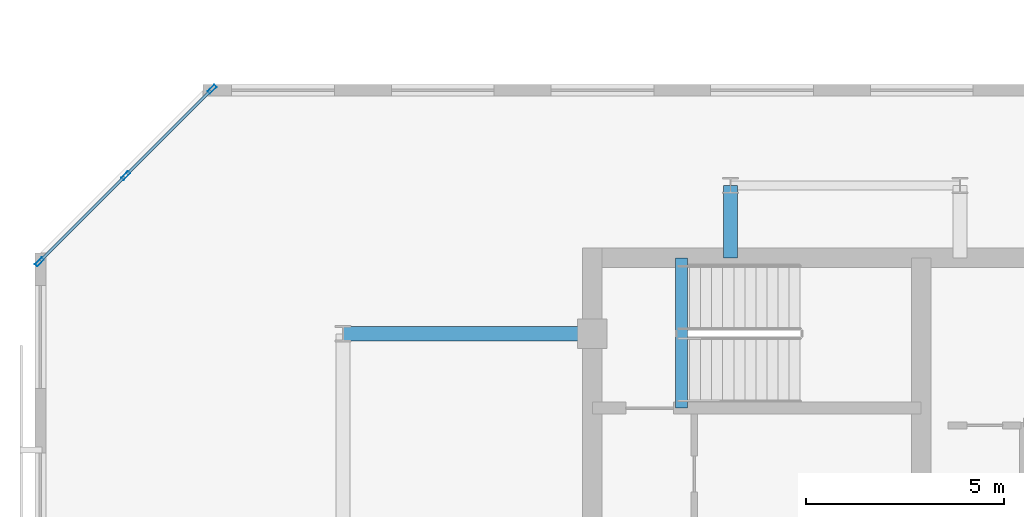
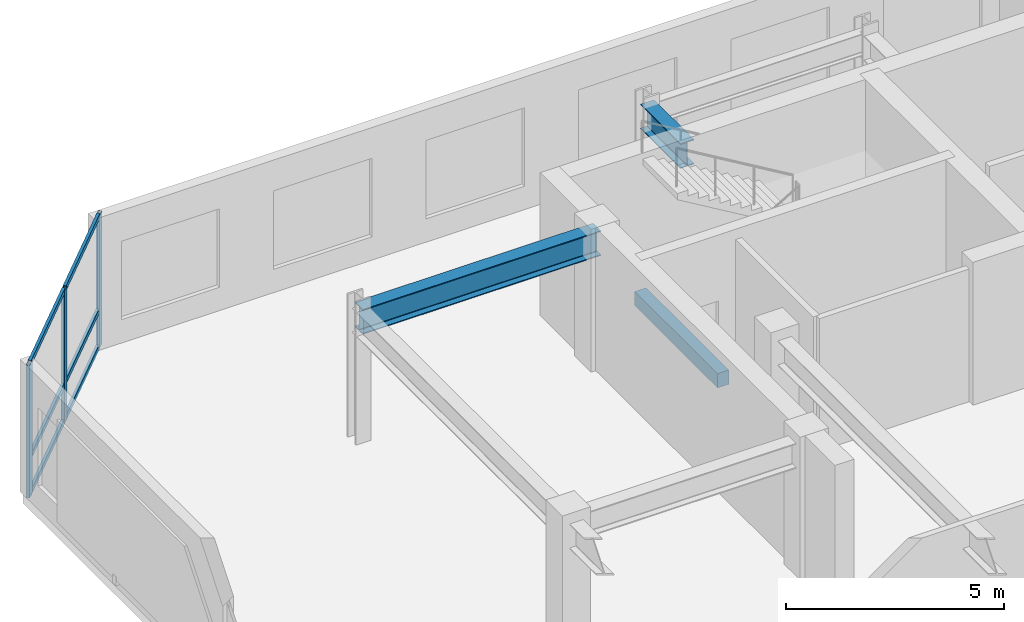
# One storey, part 2 of 9: 9 members, 3 beams, 1 element without a shape of its own.
"""IFC4 building model written with IfcOpenShell, lengths in metres."""

import ifcopenshell
import ifcopenshell.guid

model = None  # the IFC model being written
_history = None  # IfcOwnerHistory: only IFC2X3 demands one
_inside = {}  # id of a spatial element -> (the spatial element, [elements in it])
_under = {}  # id of a project, library or spatial element -> (it, [spatial elements below it])
_declared = {}  # id of a project -> (the project, [libraries it declares])
_typed = {}  # id of a type object -> (the type object, [elements of that type])
_made_of = {}  # id of a material, layer set ... -> (it, [elements and type objects made of it])


def new_model(schema):
    """Start an empty IFC model of exactly this schema.

    Asked for "IFC4X3", IfcOpenShell would pick the latest addendum, in which some entities
    have other attributes; the version numbers below select the first issue.
    IFC2X3 requires an IfcOwnerHistory on every rooted entity: one is made here for all.
    """
    global model, _history
    if schema == "IFC4X3":
        model = ifcopenshell.file(schema_version=(4, 3, 0, 0))
    else:
        model = ifcopenshell.file(schema=schema)
    _inside.clear()
    _under.clear()
    _declared.clear()
    _typed.clear()
    _made_of.clear()
    _history = None
    if model.schema == "IFC2X3":
        org = make("IfcOrganization", Name="unknown")
        user = make(
            "IfcPersonAndOrganization",
            ThePerson=make("IfcPerson", FamilyName="unknown"),
            TheOrganization=org,
        )
        app = make(
            "IfcApplication",
            ApplicationDeveloper=org,
            Version="unknown",
            ApplicationFullName="unknown",
            ApplicationIdentifier="unknown",
        )
        _history = make(
            "IfcOwnerHistory",
            OwningUser=user,
            OwningApplication=app,
            ChangeAction="ADDED",
            CreationDate=0,
        )
    return model


def make(cls, **values):
    """One entity of the class cls with the attributes given. An attribute that is None is left unset."""
    return model.create_entity(
        cls, **{name: value for name, value in values.items() if value is not None}
    )


def rooted(cls, **values):
    """An entity with a GlobalId (a new one), such as an element, a storey or a relation."""
    return make(cls, GlobalId=ifcopenshell.guid.new(), OwnerHistory=_history, **values)


def si_unit(unit_type, name, prefix=None):
    """IfcSIUnit, for example si_unit("LENGTHUNIT", "METRE", prefix="MILLI")."""
    return make("IfcSIUnit", UnitType=unit_type, Prefix=prefix, Name=name)


def assignment(units):
    """IfcUnitAssignment: the units of a project."""
    return None if units is None else make("IfcUnitAssignment", Units=units)


def point(xyz):
    """IfcCartesianPoint."""
    return None if xyz is None else make("IfcCartesianPoint", Coordinates=xyz)


def direction(xyz):
    """IfcDirection."""
    return None if xyz is None else make("IfcDirection", DirectionRatios=xyz)


def frame(location, z_axis=None, x_axis=None):
    """IfcAxis2Placement3D, a coordinate frame: its origin and axes. An axis left out is left unset."""
    return make(
        "IfcAxis2Placement3D",
        Location=point(location),
        Axis=direction(z_axis),
        RefDirection=direction(x_axis),
    )


def frame_2d(location, x_axis=None):
    """IfcAxis2Placement2D, a coordinate frame in the plane: its origin and x axis."""
    return make(
        "IfcAxis2Placement2D", Location=point(location), RefDirection=direction(x_axis)
    )


def origin():
    """The frame at (0, 0, 0) with its axes left unset."""
    return frame((0.0, 0.0, 0.0))


def origin_2d():
    """The frame at (0, 0) in the plane with its x axis left unset."""
    return frame_2d((0.0, 0.0))


def place(relative_to, where):
    """IfcLocalPlacement: puts the frame where relative to a parent placement (None: the world)."""
    return make(
        "IfcLocalPlacement", PlacementRelTo=relative_to, RelativePlacement=where
    )


def context(
    kind, dimensions, precision=None, world=None, true_north=None, identifier=None
):
    """IfcGeometricRepresentationContext, for example the 3D "Model" context."""
    return make(
        "IfcGeometricRepresentationContext",
        ContextIdentifier=identifier,
        ContextType=kind,
        CoordinateSpaceDimension=dimensions,
        Precision=precision,
        WorldCoordinateSystem=world,
        TrueNorth=true_north,
    )


def subcontext(parent, identifier, kind, view, scale=None):
    """IfcGeometricRepresentationSubContext, for example "Body" below "Model"."""
    return make(
        "IfcGeometricRepresentationSubContext",
        ContextIdentifier=identifier,
        ContextType=kind,
        ParentContext=parent,
        TargetScale=scale,
        TargetView=view,
    )


def project(units=None, contexts=None):
    """IfcProject with its units and contexts."""
    return rooted(
        "IfcProject",
        Name="project",
        RepresentationContexts=contexts,
        UnitsInContext=assignment(units),
    )


def spatial(cls, under=None, at=None, **own):
    """A site, building, storey or space (cls), placed at a placement, below another one or the project."""
    s = rooted(cls, ObjectPlacement=at, **own)
    if under is not None:
        _under.setdefault(under.id(), (under, []))[1].append(s)
    return s


def profile(cls, at=None, kind="AREA", **sizes):
    """A parametric profile (cls). Its sizes go by their IFC names, for example OverallWidth=200.0."""
    return make(cls, ProfileType=kind, Position=at, **sizes)


def rectangle(**sizes):
    """IfcRectangleProfileDef."""
    return profile("IfcRectangleProfileDef", **sizes)


def hollow_rectangle(**sizes):
    """IfcRectangleHollowProfileDef."""
    return profile("IfcRectangleHollowProfileDef", **sizes)


def i_section(**sizes):
    """IfcIShapeProfileDef."""
    return profile("IfcIShapeProfileDef", **sizes)


def extrude(swept, where, along, depth):
    """IfcExtrudedAreaSolid: the profile swept, set in the frame where, extruded along a direction by depth."""
    return make(
        "IfcExtrudedAreaSolid",
        SweptArea=swept,
        Position=where,
        ExtrudedDirection=direction(along),
        Depth=depth,
    )


def shape(context_of_items, identifier, shape_type, items):
    """IfcShapeRepresentation: the items that make up one representation, for example the "Body"."""
    return make(
        "IfcShapeRepresentation",
        ContextOfItems=context_of_items,
        RepresentationIdentifier=identifier,
        RepresentationType=shape_type,
        Items=items,
    )


def material(Name=None, Category=None):
    """IfcMaterial."""
    return make("IfcMaterial", Name=Name, Category=Category)


def layer(
    of_material, thickness, ventilated=None, Name=None, Category=None, Priority=None
):
    """IfcMaterialLayer: one layer of a wall or slab, of a material (None: an air gap)."""
    return make(
        "IfcMaterialLayer",
        Material=of_material,
        LayerThickness=thickness,
        IsVentilated=ventilated,
        Name=Name,
        Category=Category,
        Priority=Priority,
    )


def layer_set(layers, Name=None):
    """IfcMaterialLayerSet."""
    return make("IfcMaterialLayerSet", MaterialLayers=layers, LayerSetName=Name)


def material_profile(
    of_material, cross_section, Name=None, Category=None, Priority=None
):
    """IfcMaterialProfile: a cross section and its material."""
    return make(
        "IfcMaterialProfile",
        Name=Name,
        Material=of_material,
        Profile=cross_section,
        Priority=Priority,
        Category=Category,
    )


def profile_set(profiles, Name=None, composite=None):
    """IfcMaterialProfileSet."""
    return make(
        "IfcMaterialProfileSet",
        Name=Name,
        MaterialProfiles=profiles,
        CompositeProfile=composite,
    )


def made_of(thing, what):
    """Note that an element or type object is made of a material, layer set ...; save() writes the relation."""
    if what is not None:
        _made_of.setdefault(what.id(), (what, []))[1].append(thing)
    return thing


def type_object(cls, material=None, **own):
    """A type object (cls), such as IfcWallType, which elements share."""
    return made_of(rooted(cls, **own), material)


def element(
    cls,
    number,
    at=None,
    inside=None,
    cuts=None,
    type_object=None,
    material=None,
    context=None,
    identifier="Body",
    shape_type=None,
    held_by="IfcProductDefinitionShape",
    body=None,
    shapes=None,
    **own,
):
    """One element of the class cls, such as IfcWall. Its Tag is "e" and its number.

    at: its placement. inside: the storey or other place that contains it. cuts: it is an
    opening in that element (IfcRelVoidsElement). A single representation is given by context,
    identifier, shape_type and body (its items); several are given by shapes. held_by: the class
    of the entity that holds the representations. save() writes the other relations.
    """
    e = rooted(cls, Tag="e%d" % number, ObjectPlacement=at, **own)
    if body is not None:
        shapes = [shape(context, identifier, shape_type, body)]
    if shapes is not None:
        e.Representation = make(held_by, Representations=shapes)
    if inside is not None:
        _inside.setdefault(inside.id(), (inside, []))[1].append(e)
    if cuts is not None:
        rooted(
            "IfcRelVoidsElement", RelatingBuildingElement=cuts, RelatedOpeningElement=e
        )
    if type_object is not None:
        _typed.setdefault(type_object.id(), (type_object, []))[1].append(e)
    return made_of(e, material)


def aggregate(whole, parts):
    """IfcRelAggregates: a whole, such as a stair, and the parts it consists of."""
    return rooted("IfcRelAggregates", RelatingObject=whole, RelatedObjects=parts)


def save(model, path):
    """Write the relations noted so far, then the file.

    IfcRelAggregates (storeys below a building ...), IfcRelContainedInSpatialStructure (elements
    in a storey), IfcRelDefinesByType, IfcRelAssociatesMaterial and IfcRelDeclares: one each for
    every whole, place, type object, material and project.
    """
    for whole, parts in _under.values():
        aggregate(whole, parts)
    for where, things in _inside.values():
        rooted(
            "IfcRelContainedInSpatialStructure",
            RelatedElements=things,
            RelatingStructure=where,
        )
    for kind, things in _typed.values():
        rooted("IfcRelDefinesByType", RelatedObjects=things, RelatingType=kind)
    for what, things in _made_of.values():
        rooted("IfcRelAssociatesMaterial", RelatedObjects=things, RelatingMaterial=what)
    for by, libraries in _declared.values():
        rooted("IfcRelDeclares", RelatingContext=by, RelatedDefinitions=libraries)
    model.write(path)


model = new_model("IFC4")

# Units and contexts
model_context = context("Model", 3, precision=1e-05, world=origin(), true_north=direction((0.0, 1.0)))
body_context = subcontext(model_context, "Body", "Model", "MODEL_VIEW")
ifc_project = project(units=[si_unit("LENGTHUNIT", "METRE"), si_unit("AREAUNIT", "SQUARE_METRE"), si_unit("VOLUMEUNIT", "CUBIC_METRE"), si_unit("PLANEANGLEUNIT", "RADIAN"), si_unit("MASSUNIT", "GRAM", prefix="KILO")], contexts=[model_context])

# Site, building, storey
site_placement = place(None, origin())
site = spatial("IfcSite", under=ifc_project, at=site_placement, CompositionType="ELEMENT")
building_placement = place(site_placement, origin())
building = spatial("IfcBuilding", under=site, at=building_placement, Name="Kestravale Grand Hotel", CompositionType="ELEMENT")
storey_placement = place(building_placement, frame((0.0, 0.0, 293.39990234375)))
storey = spatial("IfcBuildingStorey", under=building, at=storey_placement, Name="L73", CompositionType="ELEMENT", Elevation=293.39990234375)

# Beams
ifc_material_1 = material(Name="Concrete f'c 45 MPa", Category="concrete")
ifc_material_profile_1 = material_profile(ifc_material_1, rectangle(XDim=0.300048828125, YDim=0.39990234375, at=origin_2d()))
ifc_profile_set_1 = profile_set([ifc_material_profile_1], Name="Concrete f'c 45 MPa")
beam_type_1 = type_object("IfcBeamType", Name="B-FLR-LNT400", PredefinedType="LINTEL", material=ifc_profile_set_1)
beam_1_placement = place(storey_placement, frame((24.159912109375, 36.52001953125, -0.199951171875), z_axis=(0.0, 1.0, 0.0), x_axis=(-1.0, 0.0, 0.0)))
element("IfcBeam", 1, at=beam_1_placement, inside=storey, type_object=beam_type_1, Name="L73 ST1 flight bottom header beam", PredefinedType="LINTEL", context=body_context, shape_type="SweptSolid", body=[
    extrude(rectangle(XDim=0.300048828125, YDim=0.39990234375, at=origin_2d()), origin(), (0.0, 0.0, 1.0), 3.800048828125),
])
ifc_material_2 = material(Name="Steel ASTM A992 Grade 50", Category="steel")
ifc_material_profile_2 = material_profile(ifc_material_2, i_section(OverallWidth=0.35595703125, OverallDepth=0.696044921875, WebThickness=0.015380859375, FlangeThickness=0.02490234375, FilletRadius=0.021240234375, at=origin_2d()))
ifc_profile_set_2 = profile_set([ifc_material_profile_2], Name="Steel ASTM A992 Grade 50")
beam_type_2 = type_object("IfcBeamType", Name="B-GRD-W27", PredefinedType="BEAM", material=ifc_profile_set_2)
beam_2_placement = place(storey_placement, frame((15.60009765625, 38.39990234375, 3.362060546875), z_axis=(1.0, 0.0, 0.0), x_axis=(0.0, 1.0, 0.0)))
element("IfcBeam", 2, at=beam_2_placement, inside=storey, type_object=beam_type_2, Name="L73 girder F:3-CW", PredefinedType="BEAM", context=body_context, shape_type="SweptSolid", body=[
    extrude(i_section(OverallWidth=0.35595703125, OverallDepth=0.696044921875, WebThickness=0.015380859375, FlangeThickness=0.02490234375, FilletRadius=0.021240234375, at=origin_2d()), origin(), (0.0, 0.0, 1.0), 6.2998046875),
])
beam_3_placement = place(storey_placement, frame((25.39990234375, 40.320068359375, 3.362060546875), z_axis=(0.0, 1.0, 0.0), x_axis=(-1.0, 0.0, 0.0)))
element("IfcBeam", 3, at=beam_3_placement, inside=storey, type_object=beam_type_2, Name="L73 north wing tie girder 4:CN-FN", PredefinedType="BEAM", context=body_context, shape_type="SweptSolid", body=[
    extrude(i_section(OverallWidth=0.35595703125, OverallDepth=0.696044921875, WebThickness=0.015380859375, FlangeThickness=0.02490234375, FilletRadius=0.021240234375, at=origin_2d()), origin(), (0.0, 0.0, 1.0), 1.829833984375),
])

# Curtain wall, members
ifc_material_3 = material(Name="Thermally broken champagne-bronze aluminium and low-E glazing", Category="aluminium")
ifc_layer = layer(ifc_material_3, 0.239990234375)
ifc_layer_set = layer_set([ifc_layer], Name="CW-OBS")
curtain_wall_type = type_object("IfcCurtainWallType", Name="CW-OBS", PredefinedType="NOTDEFINED", material=ifc_layer_set)
curtain_wall_placement = place(storey_placement, origin())
curtain_wall = element("IfcCurtainWall", 4, at=curtain_wall_placement, inside=storey, type_object=curtain_wall_type, Name="L73 unitised curtain wall 18", PredefinedType="NOTDEFINED")
ifc_material_4 = material(Name="Aluminium 6063-T6 anodised", Category="aluminium")
ifc_material_profile_3 = material_profile(ifc_material_4, hollow_rectangle(XDim=0.0849609375, YDim=0.239990234375, WallThickness=0.00439453125, at=origin_2d()))
ifc_profile_set_3 = profile_set([ifc_material_profile_3], Name="Aluminium 6063-T6 anodised")
member_type_1 = type_object("IfcMemberType", Name="CW-MUL-240", PredefinedType="MULLION", material=ifc_profile_set_3)
member_1_placement = place(storey_placement, frame((12.283203125, 44.585205078125, 0.0), z_axis=(0.0, 0.0, 1.0), x_axis=(0.707106781187, -0.707106781187, 0.0)))
member_1 = element("IfcMember", 5, at=member_1_placement, type_object=member_type_1, Name="CW-OBS mullion 1", PredefinedType="MULLION", context=body_context, shape_type="SweptSolid", body=[
    extrude(hollow_rectangle(XDim=0.0849609375, YDim=0.239990234375, WallThickness=0.00439453125, at=origin_2d()), origin(), (0.0, 0.0, 1.0), 3.710205078125),
])
member_2_placement = place(storey_placement, frame((10.09912109375, 42.40087890625, 0.0), z_axis=(0.0, 0.0, 1.0), x_axis=(0.707106781187, -0.707106781187, 0.0)))
member_2 = element("IfcMember", 6, at=member_2_placement, type_object=member_type_1, Name="CW-OBS mullion 2", PredefinedType="MULLION", context=body_context, shape_type="SweptSolid", body=[
    extrude(hollow_rectangle(XDim=0.0849609375, YDim=0.239990234375, WallThickness=0.00439453125, at=origin_2d()), origin(), (0.0, 0.0, 1.0), 3.710205078125),
])
member_3_placement = place(storey_placement, frame((7.914794921875, 40.216796875, 0.0), z_axis=(0.0, 0.0, 1.0), x_axis=(0.707106781187, -0.707106781187, 0.0)))
member_3 = element("IfcMember", 7, at=member_3_placement, type_object=member_type_1, Name="CW-OBS mullion 3", PredefinedType="MULLION", context=body_context, shape_type="SweptSolid", body=[
    extrude(hollow_rectangle(XDim=0.0849609375, YDim=0.239990234375, WallThickness=0.00439453125, at=origin_2d()), origin(), (0.0, 0.0, 1.0), 3.710205078125),
])
ifc_material_5 = material(Name="Aluminium 6063-T6 anodised", Category="aluminium")
ifc_material_profile_4 = material_profile(ifc_material_5, hollow_rectangle(XDim=0.074951171875, YDim=0.139892578125, WallThickness=0.00341796875, at=origin_2d()))
ifc_profile_set_4 = profile_set([ifc_material_profile_4], Name="Aluminium 6063-T6 anodised")
member_type_2 = type_object("IfcMemberType", Name="CW-TRN-140", PredefinedType="USERDEFINED", material=ifc_profile_set_4)
member_4_placement = place(storey_placement, frame((12.253173828125, 44.55517578125, 0.03759765625), z_axis=(-0.707106781187, -0.707106781187, 0.0), x_axis=(0.707106781187, -0.707106781187, 0.0)))
member_4 = element("IfcMember", 8, at=member_4_placement, type_object=member_type_2, Name="CW-OBS transom 1.1", ObjectType="TRANSOM", PredefinedType="USERDEFINED", context=body_context, shape_type="SweptSolid", body=[
    extrude(hollow_rectangle(XDim=0.074951171875, YDim=0.139892578125, WallThickness=0.00341796875, at=origin_2d()), origin(), (0.0, 0.0, 1.0), 3.00390625),
])
member_5_placement = place(storey_placement, frame((12.253173828125, 44.55517578125, 1.050048828125), z_axis=(-0.707106781187, -0.707106781187, 0.0), x_axis=(0.707106781187, -0.707106781187, 0.0)))
member_5 = element("IfcMember", 9, at=member_5_placement, type_object=member_type_2, Name="CW-OBS transom 1.2", ObjectType="TRANSOM", PredefinedType="USERDEFINED", context=body_context, shape_type="SweptSolid", body=[
    extrude(hollow_rectangle(XDim=0.074951171875, YDim=0.139892578125, WallThickness=0.00341796875, at=origin_2d()), origin(), (0.0, 0.0, 1.0), 3.00390625),
])
member_6_placement = place(storey_placement, frame((12.253173828125, 44.55517578125, 3.672607421875), z_axis=(-0.707106781187, -0.707106781187, 0.0), x_axis=(0.707106781187, -0.707106781187, 0.0)))
member_6 = element("IfcMember", 10, at=member_6_placement, type_object=member_type_2, Name="CW-OBS transom 1.3", ObjectType="TRANSOM", PredefinedType="USERDEFINED", context=body_context, shape_type="SweptSolid", body=[
    extrude(hollow_rectangle(XDim=0.074951171875, YDim=0.139892578125, WallThickness=0.00341796875, at=origin_2d()), origin(), (0.0, 0.0, 1.0), 3.00390625),
])
member_7_placement = place(storey_placement, frame((10.06884765625, 42.370849609375, 0.03759765625), z_axis=(-0.707106781187, -0.707106781187, 0.0), x_axis=(0.707106781187, -0.707106781187, 0.0)))
member_7 = element("IfcMember", 11, at=member_7_placement, type_object=member_type_2, Name="CW-OBS transom 2.1", ObjectType="TRANSOM", PredefinedType="USERDEFINED", context=body_context, shape_type="SweptSolid", body=[
    extrude(hollow_rectangle(XDim=0.074951171875, YDim=0.139892578125, WallThickness=0.00341796875, at=origin_2d()), origin(), (0.0, 0.0, 1.0), 3.00390625),
])
member_8_placement = place(storey_placement, frame((10.06884765625, 42.370849609375, 1.050048828125), z_axis=(-0.707106781187, -0.707106781187, 0.0), x_axis=(0.707106781187, -0.707106781187, 0.0)))
member_8 = element("IfcMember", 12, at=member_8_placement, type_object=member_type_2, Name="CW-OBS transom 2.2", ObjectType="TRANSOM", PredefinedType="USERDEFINED", context=body_context, shape_type="SweptSolid", body=[
    extrude(hollow_rectangle(XDim=0.074951171875, YDim=0.139892578125, WallThickness=0.00341796875, at=origin_2d()), origin(), (0.0, 0.0, 1.0), 3.00390625),
])
member_9_placement = place(storey_placement, frame((10.06884765625, 42.370849609375, 3.672607421875), z_axis=(-0.707106781187, -0.707106781187, 0.0), x_axis=(0.707106781187, -0.707106781187, 0.0)))
member_9 = element("IfcMember", 13, at=member_9_placement, type_object=member_type_2, Name="CW-OBS transom 2.3", ObjectType="TRANSOM", PredefinedType="USERDEFINED", context=body_context, shape_type="SweptSolid", body=[
    extrude(hollow_rectangle(XDim=0.074951171875, YDim=0.139892578125, WallThickness=0.00341796875, at=origin_2d()), origin(), (0.0, 0.0, 1.0), 3.00390625),
])
aggregate(curtain_wall, [member_1, member_2, member_3, member_4, member_5, member_6, member_7, member_8, member_9])

save(model, "model.ifc")
